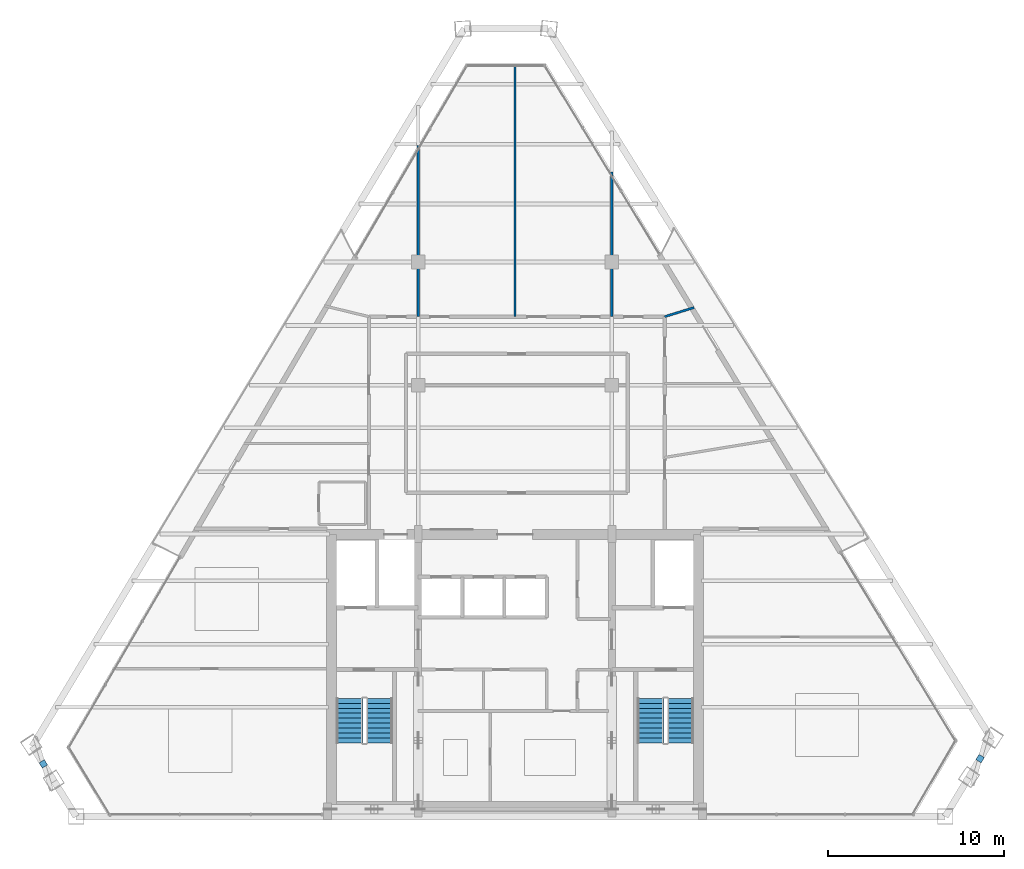
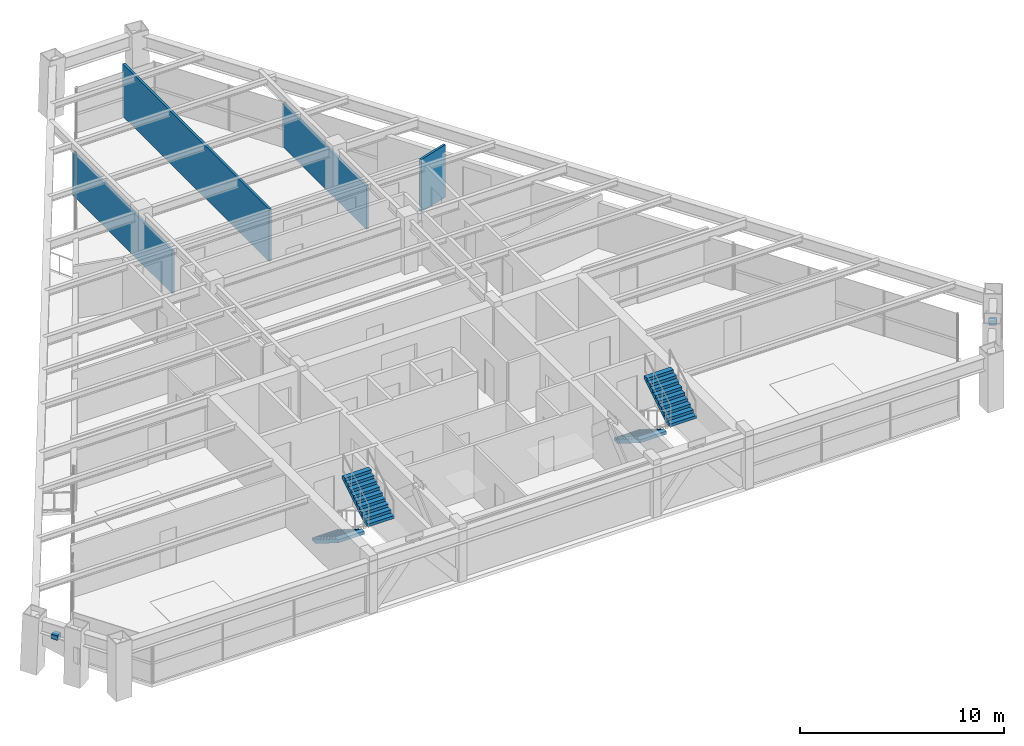
# One storey, part 11 of 13: 4 stair flights, 4 walls, 2 discrete accessories, 2 elements without a shape of their own.
"""IFC4 building model written with IfcOpenShell, lengths in metres."""

from ifc_helpers import new_model, si_unit, direction, frame, frame_2d, origin, origin_2d, place, context, subcontext, project, spatial, polyline, rectangle, outline, extrude, source, transform, mapped, material, layer, layer_set, type_object, type_shapes, element, aggregate, save


model = new_model("IFC4")

# Units and contexts
model_context = context("Model", 3, precision=1e-05, world=origin(), true_north=direction((0.0, 1.0)))
body_context = subcontext(model_context, "Body", "Model", "MODEL_VIEW")
ifc_project = project(units=[si_unit("LENGTHUNIT", "METRE"), si_unit("AREAUNIT", "SQUARE_METRE"), si_unit("VOLUMEUNIT", "CUBIC_METRE"), si_unit("PLANEANGLEUNIT", "RADIAN"), si_unit("MASSUNIT", "GRAM", prefix="KILO")], contexts=[model_context])

# Site, building, storey
site_placement = place(None, origin())
site = spatial("IfcSite", under=ifc_project, at=site_placement, CompositionType="ELEMENT")
building_placement = place(site_placement, origin())
building = spatial("IfcBuilding", under=site, at=building_placement, Name="Varnakhor Terracotta Tower", CompositionType="ELEMENT")
storey_placement = place(building_placement, frame((0.0, 0.0, 254.5)))
storey = spatial("IfcBuildingStorey", under=building, at=storey_placement, Name="L66", CompositionType="ELEMENT", Elevation=254.5)

# Walls
ifc_material_1 = material(Name="Acoustic Hotel Room Partition", Category="gypsum")
ifc_layer = layer(ifc_material_1, 0.1298828125, Name="Acoustic Hotel Room Partition")
ifc_layer_set = layer_set([ifc_layer], Name="Acoustic Hotel Room Partition")
wall_type = type_object("IfcWallType", Name="WAL-PART-130", PredefinedType="PARTITIONING", material=ifc_layer_set)
wall_1_placement = place(storey_placement, frame((8.5, 28.39990234375, 0.0), z_axis=(0.0, 0.0, 1.0), x_axis=(0.955069567147, 0.296381716556, 0.0)))
element("IfcWall", 1, at=wall_1_placement, inside=storey, type_object=wall_type, Name="L66 North East Suite South Wall", PredefinedType="PARTITIONING", context=body_context, shape_type="SweptSolid", body=[
    extrude(rectangle(XDim=1.75537109375, YDim=0.1298828125, at=frame_2d((0.877685546875, 0.0))), origin(), (0.0, 0.0, 1.0), 3.14208984375),
])
wall_2_placement = place(storey_placement, frame((-5.5, 28.39990234375, 0.0), z_axis=(0.0, 0.0, 1.0), x_axis=(0.0, 1.0, 0.0)))
element("IfcWall", 2, at=wall_2_placement, inside=storey, type_object=wall_type, Name="L66 North West Column Wall", PredefinedType="PARTITIONING", context=body_context, shape_type="SweptSolid", body=[
    extrude(rectangle(XDim=9.735595703125, YDim=0.1298828125, at=frame_2d((4.86767578125, 0.0))), origin(), (0.0, 0.0, 1.0), 2.593017578125),
])
wall_3_placement = place(storey_placement, frame((5.5, 28.39990234375, 0.0), z_axis=(0.0, 0.0, 1.0), x_axis=(0.0, 1.0, 0.0)))
element("IfcWall", 3, at=wall_3_placement, inside=storey, type_object=wall_type, Name="L66 North East Column Wall", PredefinedType="PARTITIONING", context=body_context, shape_type="SweptSolid", body=[
    extrude(rectangle(XDim=8.208984375, YDim=0.1298828125, at=frame_2d((4.1044921875, 0.0))), origin(), (0.0, 0.0, 1.0), 2.593017578125),
])
wall_4_placement = place(storey_placement, frame((0.0, 28.39990234375, 0.0), z_axis=(0.0, 0.0, 1.0), x_axis=(0.0, 1.0, 0.0)))
element("IfcWall", 4, at=wall_4_placement, inside=storey, type_object=wall_type, Name="L66 North Suite Split 2", PredefinedType="PARTITIONING", context=body_context, shape_type="SweptSolid", body=[
    extrude(rectangle(XDim=14.368896484375, YDim=0.1298828125, at=frame_2d((7.1845703125, 0.0))), origin(), (0.0, 0.0, 1.0), 3.14208984375),
])

# Stair, stair flights
ifc_material_2 = material(Name="Concrete C40/50", Category="concrete")
stair_type = type_object("IfcStairType", Name="STR-CORE-HOTEL-1500", PredefinedType="HALF_TURN_STAIR", material=ifc_material_2)
stair_1_placement = place(storey_placement, origin())
stair_1 = element("IfcStair", 5, at=stair_1_placement, inside=storey, type_object=stair_type, Name="L66 Core Exit Stair ST-1", PredefinedType="HALF_TURN_STAIR")
stair_flight_type = type_object("IfcStairFlightType", Name="FLT-HOTEL-1500", PredefinedType="STRAIGHT", material=ifc_material_2)
stair_flight_1_placement = place(storey_placement, frame((-9.39990234375, 6.7099609375, 0.0), z_axis=(0.0, 0.0, 1.0), x_axis=(0.0, -1.0, 0.0)))
stair_flight_1 = element("IfcStairFlight", 6, at=stair_flight_1_placement, type_object=stair_flight_type, Name="ST-1 flight 1", NumberOfRisers=10, NumberOfTreads=9, PredefinedType="STRAIGHT", RiserHeight=0.1725, TreadLength=0.28, context=body_context, shape_type="SweptSolid", body=[
    extrude(outline(polyline([(0.0, 0.0), (0.0, 0.172607421875), (0.280029296875, 0.172607421875), (0.280029296875, 0.344970703125), (0.56005859375, 0.344970703125), (0.56005859375, 0.517578125), (0.840087890625, 0.517578125), (0.840087890625, 0.68994140625), (1.1201171875, 0.68994140625), (1.1201171875, 0.862548828125), (1.39990234375, 0.862548828125), (1.39990234375, 1.034912109375), (1.679931640625, 1.034912109375), (1.679931640625, 1.20751953125), (1.9599609375, 1.20751953125), (1.9599609375, 1.3798828125), (2.239990234375, 1.3798828125), (2.239990234375, 1.552490234375), (2.52001953125, 1.552490234375), (2.52001953125, 1.72509765625), (2.52001953125, 1.36474609375), (0.304931640625, 0.0), (0.0, 0.0)])), frame((0.0, 0.75, 0.0), z_axis=(0.0, -1.0, 0.0), x_axis=(1.0, 0.0, 0.0)), (0.0, 0.0, 1.0), 1.5),
])
stair_flight_2_placement = place(storey_placement, frame((-7.699951171875, 4.18994140625, 1.72509765625), z_axis=(0.0, 0.0, 1.0), x_axis=(0.0, 1.0, 0.0)))
stair_flight_2 = element("IfcStairFlight", 7, at=stair_flight_2_placement, type_object=stair_flight_type, Name="ST-1 flight 2", NumberOfRisers=10, NumberOfTreads=9, PredefinedType="STRAIGHT", RiserHeight=0.1725, TreadLength=0.28, context=body_context, shape_type="SweptSolid", body=[
    extrude(outline(polyline([(0.0, 0.0), (0.0, 0.172607421875), (0.280029296875, 0.172607421875), (0.280029296875, 0.344970703125), (0.56005859375, 0.344970703125), (0.56005859375, 0.517578125), (0.840087890625, 0.517578125), (0.840087890625, 0.68994140625), (1.1201171875, 0.68994140625), (1.1201171875, 0.862548828125), (1.39990234375, 0.862548828125), (1.39990234375, 1.034912109375), (1.679931640625, 1.034912109375), (1.679931640625, 1.20751953125), (1.9599609375, 1.20751953125), (1.9599609375, 1.3798828125), (2.239990234375, 1.3798828125), (2.239990234375, 1.552490234375), (2.52001953125, 1.552490234375), (2.52001953125, 1.72509765625), (2.52001953125, 1.36474609375), (0.304931640625, 0.0), (0.0, 0.0)])), frame((0.0, 0.75, 0.0), z_axis=(0.0, -1.0, 0.0), x_axis=(1.0, 0.0, 0.0)), (0.0, 0.0, 1.0), 1.5),
])
aggregate(stair_1, [stair_flight_1, stair_flight_2])

stair_2_placement = place(storey_placement, origin())
stair_2 = element("IfcStair", 8, at=stair_2_placement, inside=storey, type_object=stair_type, Name="L66 Core Exit Stair ST-2", PredefinedType="HALF_TURN_STAIR")
stair_flight_3_placement = place(storey_placement, frame((7.699951171875, 6.7099609375, 0.0), z_axis=(0.0, 0.0, 1.0), x_axis=(0.0, -1.0, 0.0)))
stair_flight_3 = element("IfcStairFlight", 9, at=stair_flight_3_placement, type_object=stair_flight_type, Name="ST-2 flight 1", NumberOfRisers=10, NumberOfTreads=9, PredefinedType="STRAIGHT", RiserHeight=0.1725, TreadLength=0.28, context=body_context, shape_type="SweptSolid", body=[
    extrude(outline(polyline([(0.0, 0.0), (0.0, 0.172607421875), (0.280029296875, 0.172607421875), (0.280029296875, 0.344970703125), (0.56005859375, 0.344970703125), (0.56005859375, 0.517578125), (0.840087890625, 0.517578125), (0.840087890625, 0.68994140625), (1.1201171875, 0.68994140625), (1.1201171875, 0.862548828125), (1.39990234375, 0.862548828125), (1.39990234375, 1.034912109375), (1.679931640625, 1.034912109375), (1.679931640625, 1.20751953125), (1.9599609375, 1.20751953125), (1.9599609375, 1.3798828125), (2.239990234375, 1.3798828125), (2.239990234375, 1.552490234375), (2.52001953125, 1.552490234375), (2.52001953125, 1.72509765625), (2.52001953125, 1.36474609375), (0.304931640625, 0.0), (0.0, 0.0)])), frame((0.0, 0.75, 0.0), z_axis=(0.0, -1.0, 0.0), x_axis=(1.0, 0.0, 0.0)), (0.0, 0.0, 1.0), 1.5),
])
stair_flight_4_placement = place(storey_placement, frame((9.39990234375, 4.18994140625, 1.72509765625), z_axis=(0.0, 0.0, 1.0), x_axis=(0.0, 1.0, 0.0)))
stair_flight_4 = element("IfcStairFlight", 10, at=stair_flight_4_placement, type_object=stair_flight_type, Name="ST-2 flight 2", NumberOfRisers=10, NumberOfTreads=9, PredefinedType="STRAIGHT", RiserHeight=0.1725, TreadLength=0.28, context=body_context, shape_type="SweptSolid", body=[
    extrude(outline(polyline([(0.0, 0.0), (0.0, 0.172607421875), (0.280029296875, 0.172607421875), (0.280029296875, 0.344970703125), (0.56005859375, 0.344970703125), (0.56005859375, 0.517578125), (0.840087890625, 0.517578125), (0.840087890625, 0.68994140625), (1.1201171875, 0.68994140625), (1.1201171875, 0.862548828125), (1.39990234375, 0.862548828125), (1.39990234375, 1.034912109375), (1.679931640625, 1.034912109375), (1.679931640625, 1.20751953125), (1.9599609375, 1.20751953125), (1.9599609375, 1.3798828125), (2.239990234375, 1.3798828125), (2.239990234375, 1.552490234375), (2.52001953125, 1.552490234375), (2.52001953125, 1.72509765625), (2.52001953125, 1.36474609375), (0.304931640625, 0.0), (0.0, 0.0)])), frame((0.0, 0.75, 0.0), z_axis=(0.0, -1.0, 0.0), x_axis=(1.0, 0.0, 0.0)), (0.0, 0.0, 1.0), 1.5),
])
aggregate(stair_2, [stair_flight_3, stair_flight_4])

# Discrete accessories
ifc_material_3 = material(Name="Stainless Steel Fixing Bracket", Category="steel")
discrete_accessory_type = type_object("IfcDiscreteAccessoryType", Name="BRACKET-TERRACOTTA-SCREEN", PredefinedType="BRACKET", material=ifc_material_3)
shared_shape = source(origin(), body_context, "Body", "SweptSolid", [
    extrude(rectangle(XDim=0.35009765625, YDim=0.35009765625, at=origin_2d()), origin(), (0.0, 0.0, 1.0), 0.280029296875),
])
type_shapes(discrete_accessory_type, [shared_shape])
for number, where, z_axis, x_axis, name in (
    (11, (26.4228515625, 3.2939453125, 2.2470703125), (0.0, 0.0, 1.0), (0.515875610706, 0.856663501195, 0.0), "L66 E Screen Fixing Bracket"),
    (12, (-26.80029296875, 2.992919921875, 2.2470703125), (0.0, 0.0, 1.0), (0.529608402785, -0.848242264745, 0.0), "L66 W Screen Fixing Bracket"),
):
    element("IfcDiscreteAccessory", number, at=place(storey_placement, frame(where, z_axis=z_axis, x_axis=x_axis)), inside=storey, type_object=discrete_accessory_type, Name=name, PredefinedType="BRACKET", context=body_context, shape_type="MappedRepresentation", body=[
        mapped(shared_shape, transform((0.0, 0.0, 0.0), scale=1.0)),
    ])

save(model, "model.ifc")
